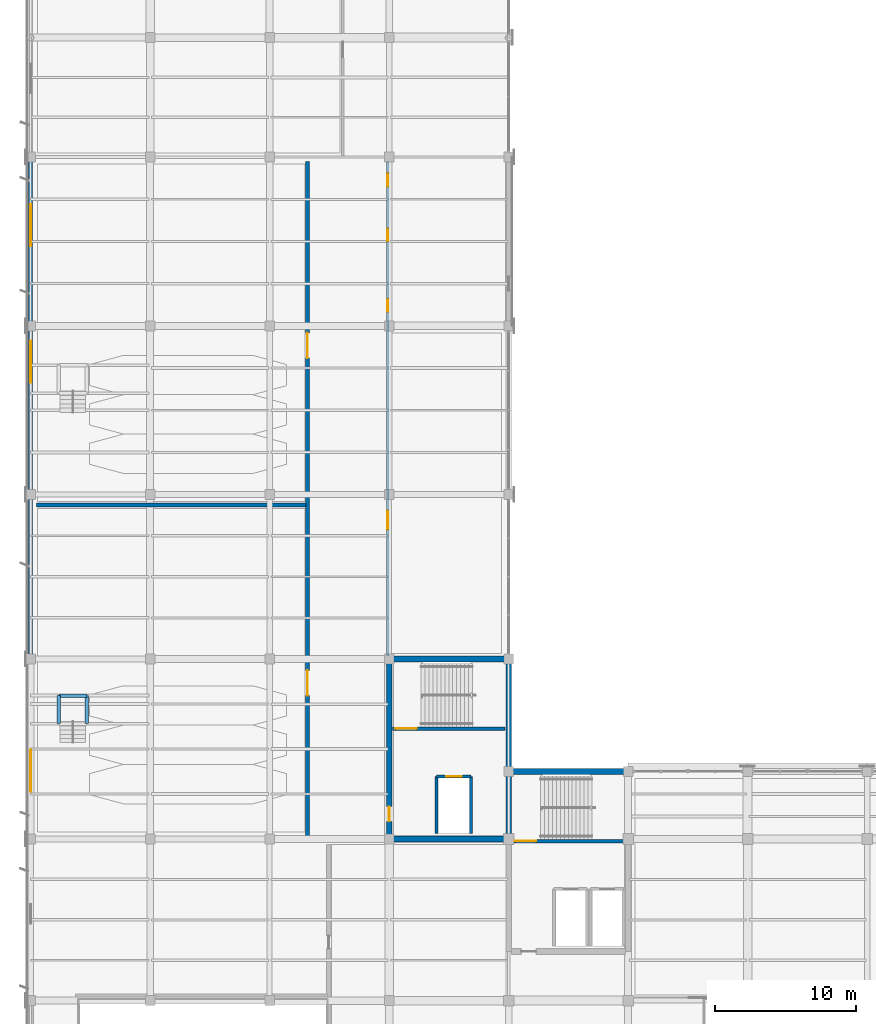
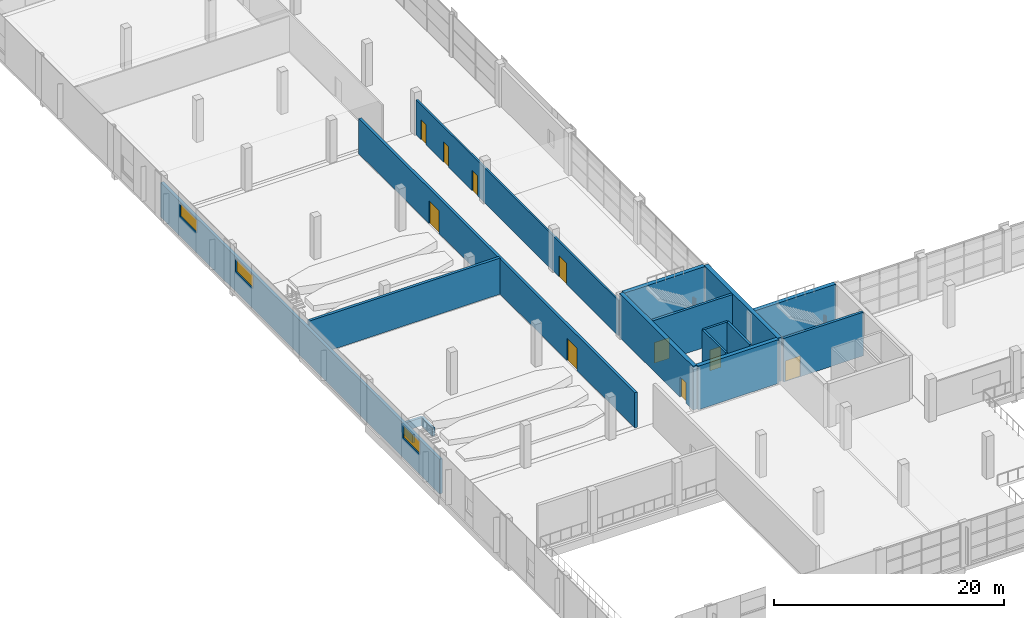
# One storey, part 91 of 112: 17 walls, 10 doors, 3 windows, 13 openings.
"""IFC4 building model written with IfcOpenShell, lengths in metres."""

from ifc_helpers import new_model, si_unit, direction, frame, frame_2d, origin, place, context, subcontext, project, spatial, rectangle, extrude, material, layer, layer_set, type_object, element, fill, save


model = new_model("IFC4")

# Units and contexts
model_context = context("Model", 3, precision=1e-05, world=origin(), true_north=direction((0.0, 1.0)))
body_context = subcontext(model_context, "Body", "Model", "MODEL_VIEW")
ifc_project = project(units=[si_unit("LENGTHUNIT", "METRE"), si_unit("AREAUNIT", "SQUARE_METRE"), si_unit("VOLUMEUNIT", "CUBIC_METRE"), si_unit("PLANEANGLEUNIT", "RADIAN"), si_unit("MASSUNIT", "GRAM", prefix="KILO")], contexts=[model_context])

# Site, building, storey
site_placement = place(None, origin())
site = spatial("IfcSite", under=ifc_project, at=site_placement, CompositionType="ELEMENT")
building_placement = place(site_placement, origin())
building = spatial("IfcBuilding", under=site, at=building_placement, Name="Solvikara Media Centre", CompositionType="ELEMENT")
storey_placement = place(building_placement, frame((0.0, 0.0, 5.39990234375)))
storey = spatial("IfcBuildingStorey", under=building, at=storey_placement, Name="L01", CompositionType="ELEMENT", Elevation=5.39990234375)

# Wall, opening, door
ifc_material_1 = material(Name="Concrete fc' 45 MPa (C45/55)", Category="concrete")
ifc_layer_1 = layer(ifc_material_1, 0.39990234375)
ifc_layer_set_1 = layer_set([ifc_layer_1], Name="Concrete fc' 45 MPa (C45/55)")
wall_type_1 = type_object("IfcWallType", Name="WT-02", PredefinedType="SHEAR", material=ifc_layer_set_1)
wall_1_placement = place(storey_placement, frame((25.5, 32.0, 0.0), z_axis=(0.0, 0.0, 1.0), x_axis=(0.0, 1.0, 0.0)))
wall_1 = element("IfcWall", 1, at=wall_1_placement, inside=storey, type_object=wall_type_1, Name="CW-C1-L01-W", PredefinedType="SHEAR", context=body_context, shape_type="SweptSolid", body=[
    extrude(rectangle(XDim=12.800048828125, YDim=0.39990234375, at=frame_2d((6.39990234375, 0.0))), origin(), (0.0, 0.0, 1.0), 4.64013671875),
])
opening_1_placement = place(wall_1_placement, frame((1.25, 0.0, 0.0)))
opening_1 = element("IfcOpeningElement", 2, at=opening_1_placement, cuts=wall_1, Name="Opening D-C1-L01-LOB", PredefinedType="OPENING", context=body_context, shape_type="SweptSolid", body=[
    extrude(rectangle(XDim=1.050048828125, YDim=2.14990234375, at=frame_2d((0.52490234375, 1.074951171875))), frame((0.0, 0.2119140625, 0.0), z_axis=(0.0, -1.0, 0.0), x_axis=(1.0, 0.0, 0.0)), (0.0, 0.0, 1.0), 0.423828125),
])
ifc_material_2 = material(Name="Insulated fire-rated steel door leaf", Category="steel")
door_type_1 = type_object("IfcDoorType", Name="DT-10", OperationType="NOTDEFINED", PredefinedType="DOOR", material=ifc_material_2)
door_1_placement = place(opening_1_placement, origin())
door_1 = element("IfcDoor", 3, at=door_1_placement, inside=storey, type_object=door_type_1, Name="D-C1-L01-LOB", OperationType="SINGLE_SWING_RIGHT", OverallHeight=2.14990234375, OverallWidth=1.050048828125, PredefinedType="DOOR", context=body_context, shape_type="SweptSolid", body=[
    extrude(rectangle(XDim=1.050048828125, YDim=2.14990234375, at=frame_2d((0.52490234375, 1.074951171875))), frame((0.0, 0.02490234375, 0.0), z_axis=(0.0, -1.0, 0.0), x_axis=(1.0, 0.0, 0.0)), (0.0, 0.0, 1.0), 0.050048828125),
])
fill(opening_1, door_1)

# Walls
wall_2_placement = place(storey_placement, frame((34.0, 32.0, 0.0), z_axis=(0.0, 0.0, 1.0), x_axis=(0.0, 1.0, 0.0)))
element("IfcWall", 4, at=wall_2_placement, inside=storey, type_object=wall_type_1, Name="CW-C1-L01-E", PredefinedType="SHEAR", context=body_context, shape_type="SweptSolid", body=[
    extrude(rectangle(XDim=12.800048828125, YDim=0.39990234375, at=frame_2d((6.39990234375, 0.0))), origin(), (0.0, 0.0, 1.0), 4.64013671875),
])
for number, where, z_axis, x_axis, name in (
    (5, (25.699951171875, 44.800048828125, 0.0), (0.0, 0.0, 1.0), (1.0, 0.0, 0.0), "CW-C1-L01-N"),
    (6, (25.699951171875, 32.0, 0.0), (0.0, 0.0, 1.0), (1.0, 0.0, 0.0), "CW-C1-L01-S"),
    (7, (34.199951171875, 36.800048828125, 0.0), (0.0, 0.0, 1.0), (1.0, 0.0, 0.0), "CW-C2-L01-N"),
):
    element("IfcWall", number, at=place(storey_placement, frame(where, z_axis=z_axis, x_axis=x_axis)), inside=storey, type_object=wall_type_1, Name=name, PredefinedType="SHEAR", context=body_context, shape_type="SweptSolid", body=[
        extrude(rectangle(XDim=8.10009765625, YDim=0.39990234375, at=frame_2d((4.050048828125, 0.0))), origin(), (0.0, 0.0, 1.0), 4.64013671875),
    ])

# Wall, opening, door
ifc_layer_2 = layer(ifc_material_1, 0.25)
ifc_layer_set_2 = layer_set([ifc_layer_2], Name="Concrete fc' 45 MPa (C45/55)")
wall_type_2 = type_object("IfcWallType", Name="WT-07", PredefinedType="STANDARD", material=ifc_layer_set_2)
wall_3_placement = place(storey_placement, frame((25.75, 39.85009765625, 0.0), z_axis=(0.0, 0.0, 1.0), x_axis=(1.0, 0.0, 0.0)))
wall_3 = element("IfcWall", 8, at=wall_3_placement, inside=storey, type_object=wall_type_2, Name="CW-C1-L01-SD", PredefinedType="STANDARD", context=body_context, shape_type="SweptSolid", body=[
    extrude(rectangle(XDim=8.0, YDim=0.25, at=frame_2d((4.0, 0.0))), origin(), (0.0, 0.0, 1.0), 4.64013671875),
])
opening_2_placement = place(wall_3_placement, frame((0.199951171875, 0.0, 0.0)))
opening_2 = element("IfcOpeningElement", 9, at=opening_2_placement, cuts=wall_3, Name="Opening D-C1-L01-ST", PredefinedType="OPENING", context=body_context, shape_type="SweptSolid", body=[
    extrude(rectangle(XDim=1.5, YDim=2.199951171875, at=frame_2d((0.75, 1.10009765625))), frame((0.0, 0.136962890625, 0.0), z_axis=(0.0, -1.0, 0.0), x_axis=(1.0, 0.0, 0.0)), (0.0, 0.0, 1.0), 0.27392578125),
])
door_type_2 = type_object("IfcDoorType", Name="DT-08", OperationType="DOUBLE_DOOR_SINGLE_SWING", PredefinedType="DOOR", material=ifc_material_2)
door_2_placement = place(opening_2_placement, frame((1.5, 0.0, 0.0), z_axis=(0.0, 0.0, 1.0), x_axis=(-1.0, 0.0, 0.0)))
door_2 = element("IfcDoor", 10, at=door_2_placement, inside=storey, type_object=door_type_2, Name="D-C1-L01-ST", OperationType="DOUBLE_DOOR_SINGLE_SWING", OverallHeight=2.199951171875, OverallWidth=1.5, PredefinedType="DOOR", context=body_context, shape_type="SweptSolid", body=[
    extrude(rectangle(XDim=1.5, YDim=2.199951171875, at=frame_2d((0.75, 1.10009765625))), frame((0.0, 0.02490234375, 0.0), z_axis=(0.0, -1.0, 0.0), x_axis=(1.0, 0.0, 0.0)), (0.0, 0.0, 1.0), 0.050048828125),
])
fill(opening_2, door_2)

wall_4_placement = place(storey_placement, frame((34.25, 31.85009765625, 0.0), z_axis=(0.0, 0.0, 1.0), x_axis=(1.0, 0.0, 0.0)))
wall_4 = element("IfcWall", 11, at=wall_4_placement, inside=storey, type_object=wall_type_2, Name="CW-C2-L01-SD", PredefinedType="STANDARD", context=body_context, shape_type="SweptSolid", body=[
    extrude(rectangle(XDim=8.0, YDim=0.25, at=frame_2d((4.0, 0.0))), origin(), (0.0, 0.0, 1.0), 4.64013671875),
])
opening_3_placement = place(wall_4_placement, frame((0.199951171875, 0.0, 0.0)))
opening_3 = element("IfcOpeningElement", 12, at=opening_3_placement, cuts=wall_4, Name="Opening D-C2-L01-ST", PredefinedType="OPENING", context=body_context, shape_type="SweptSolid", body=[
    extrude(rectangle(XDim=1.5, YDim=2.199951171875, at=frame_2d((0.75, 1.10009765625))), frame((0.0, 0.136962890625, 0.0), z_axis=(0.0, -1.0, 0.0), x_axis=(1.0, 0.0, 0.0)), (0.0, 0.0, 1.0), 0.27392578125),
])
door_3_placement = place(opening_3_placement, frame((1.5, 0.0, 0.0), z_axis=(0.0, 0.0, 1.0), x_axis=(-1.0, 0.0, 0.0)))
door_3 = element("IfcDoor", 13, at=door_3_placement, inside=storey, type_object=door_type_2, Name="D-C2-L01-ST", OperationType="DOUBLE_DOOR_SINGLE_SWING", OverallHeight=2.199951171875, OverallWidth=1.5, PredefinedType="DOOR", context=body_context, shape_type="SweptSolid", body=[
    extrude(rectangle(XDim=1.5, YDim=2.199951171875, at=frame_2d((0.75, 1.10009765625))), frame((0.0, 0.02490234375, 0.0), z_axis=(0.0, -1.0, 0.0), x_axis=(1.0, 0.0, 0.0)), (0.0, 0.0, 1.0), 0.050048828125),
])
fill(opening_3, door_3)

# Walls
for number, where, z_axis, x_axis, name in (
    (14, (2.0, 42.199951171875, -0.260009765625), (0.0, 0.0, 1.0), (1.0, 0.0, 0.0), "VW-ST-MX4-AISLE-2"),
    (15, (4.0, 40.199951171875, -0.260009765625), (0.0, 0.0, 1.0), (0.0, 1.0, 0.0), "VW-ST-MX4-AISLE-3"),
    (16, (2.0, 40.199951171875, -0.260009765625), (0.0, 0.0, 1.0), (0.0, 1.0, 0.0), "VW-ST-MX4-AISLE-4"),
):
    element("IfcWall", number, at=place(storey_placement, frame(where, z_axis=z_axis, x_axis=x_axis)), inside=storey, type_object=wall_type_2, Name=name, PredefinedType="STANDARD", context=body_context, shape_type="SweptSolid", body=[
        extrude(rectangle(XDim=2.0, YDim=0.25, at=frame_2d((1.0, 0.0))), origin(), (0.0, 0.0, 1.0), 0.8701171875),
    ])

# Wall, openings, windows
ifc_material_3 = material(Name="Precast concrete fc' 40 MPa (C40/50)", Category="concrete")
ifc_layer_3 = layer(ifc_material_3, 0.2900390625)
ifc_layer_set_3 = layer_set([ifc_layer_3], Name="Precast concrete fc' 40 MPa (C40/50)")
wall_type_3 = type_object("IfcWallType", Name="WT-11", PredefinedType="STANDARD", material=ifc_layer_set_3)
wall_5_placement = place(storey_placement, frame((0.0, 32.0, 0.0), z_axis=(0.0, 0.0, 1.0), x_axis=(0.0, 1.0, 0.0)))
wall_5 = element("IfcWall", 17, at=wall_5_placement, inside=storey, type_object=wall_type_3, Name="EW-L01-V4-W", PredefinedType="STANDARD", context=body_context, shape_type="SweptSolid", body=[
    extrude(rectangle(XDim=48.5, YDim=0.2900390625, at=frame_2d((24.25, 0.0))), origin(), (0.0, 0.0, 1.0), 3.68017578125),
])
opening_4_placement = place(wall_5_placement, frame((3.35009765625, 0.0, 2.1201171875)))
opening_4 = element("IfcOpeningElement", 18, at=opening_4_placement, cuts=wall_5, Name="Opening W-L01-V4W-W01", PredefinedType="OPENING", context=body_context, shape_type="SweptSolid", body=[
    extrude(rectangle(XDim=3.0, YDim=1.39990234375, at=frame_2d((1.5, 0.699951171875))), frame((0.0, 0.156982421875, 0.0), z_axis=(0.0, -1.0, 0.0), x_axis=(1.0, 0.0, 0.0)), (0.0, 0.0, 1.0), 0.31396484375),
])
opening_5_placement = place(wall_5_placement, frame((32.449951171875, 0.0, 2.1201171875)))
opening_5 = element("IfcOpeningElement", 19, at=opening_5_placement, cuts=wall_5, Name="Opening W-L01-V4W-W04", PredefinedType="OPENING", context=body_context, shape_type="SweptSolid", body=[
    extrude(rectangle(XDim=3.0, YDim=1.39990234375, at=frame_2d((1.5, 0.699951171875))), frame((0.0, 0.156982421875, 0.0), z_axis=(0.0, -1.0, 0.0), x_axis=(1.0, 0.0, 0.0)), (0.0, 0.0, 1.0), 0.31396484375),
])
opening_6_placement = place(wall_5_placement, frame((42.14990234375, 0.0, 2.1201171875)))
opening_6 = element("IfcOpeningElement", 20, at=opening_6_placement, cuts=wall_5, Name="Opening W-L01-V4W-W05", PredefinedType="OPENING", context=body_context, shape_type="SweptSolid", body=[
    extrude(rectangle(XDim=3.0, YDim=1.39990234375, at=frame_2d((1.5, 0.699951171875))), frame((0.0, 0.156982421875, 0.0), z_axis=(0.0, -1.0, 0.0), x_axis=(1.0, 0.0, 0.0)), (0.0, 0.0, 1.0), 0.31396484375),
])
ifc_material_4 = material(Name="Double-glazed low-E architectural glass", Category="glass")
window_type = type_object("IfcWindowType", Name="WN-10", PartitioningType="SINGLE_PANEL", PredefinedType="WINDOW", material=ifc_material_4)
window_1_placement = place(opening_4_placement, origin())
window_1 = element("IfcWindow", 21, at=window_1_placement, inside=storey, type_object=window_type, Name="W-L01-V4W-W01", OverallHeight=1.39990234375, OverallWidth=3.0, PartitioningType="SINGLE_PANEL", PredefinedType="WINDOW", context=body_context, shape_type="SweptSolid", body=[
    extrude(rectangle(XDim=3.0, YDim=1.39990234375, at=frame_2d((1.5, 0.699951171875))), frame((0.0, 0.030029296875, 0.0), z_axis=(0.0, -1.0, 0.0), x_axis=(1.0, 0.0, 0.0)), (0.0, 0.0, 1.0), 0.06005859375),
])
fill(opening_4, window_1)
window_2_placement = place(opening_5_placement, origin())
window_2 = element("IfcWindow", 22, at=window_2_placement, inside=storey, type_object=window_type, Name="W-L01-V4W-W04", OverallHeight=1.39990234375, OverallWidth=3.0, PartitioningType="SINGLE_PANEL", PredefinedType="WINDOW", context=body_context, shape_type="SweptSolid", body=[
    extrude(rectangle(XDim=3.0, YDim=1.39990234375, at=frame_2d((1.5, 0.699951171875))), frame((0.0, 0.030029296875, 0.0), z_axis=(0.0, -1.0, 0.0), x_axis=(1.0, 0.0, 0.0)), (0.0, 0.0, 1.0), 0.06005859375),
])
fill(opening_5, window_2)
window_3_placement = place(opening_6_placement, origin())
window_3 = element("IfcWindow", 23, at=window_3_placement, inside=storey, type_object=window_type, Name="W-L01-V4W-W05", OverallHeight=1.39990234375, OverallWidth=3.0, PartitioningType="SINGLE_PANEL", PredefinedType="WINDOW", context=body_context, shape_type="SweptSolid", body=[
    extrude(rectangle(XDim=3.0, YDim=1.39990234375, at=frame_2d((1.5, 0.699951171875))), frame((0.0, 0.030029296875, 0.0), z_axis=(0.0, -1.0, 0.0), x_axis=(1.0, 0.0, 0.0)), (0.0, 0.0, 1.0), 0.06005859375),
])
fill(opening_6, window_3)

# Wall, openings, doors
ifc_material_5 = material(Name="Double-stud acoustic gypsum partition assembly")
ifc_layer_4 = layer(ifc_material_5, 0.27001953125)
ifc_layer_set_4 = layer_set([ifc_layer_4], Name="Double-stud acoustic gypsum partition assembly")
wall_type_4 = type_object("IfcWallType", Name="WT-16", PredefinedType="PARTITIONING", material=ifc_layer_set_4)
wall_6_placement = place(storey_placement, frame((19.699951171875, 32.199951171875, 0.0), z_axis=(0.0, 0.0, 1.0), x_axis=(0.0, 1.0, 0.0)))
wall_6 = element("IfcWall", 24, at=wall_6_placement, inside=storey, type_object=wall_type_4, Name="PW-L01-043", PredefinedType="PARTITIONING", context=body_context, shape_type="SweptSolid", body=[
    extrude(rectangle(XDim=48.0, YDim=0.27001953125, at=frame_2d((24.0, 0.0))), origin(), (0.0, 0.0, 1.0), 3.72802734375),
])
opening_7_placement = place(wall_6_placement, frame((10.0, 0.0, 0.0)))
opening_7 = element("IfcOpeningElement", 25, at=opening_7_placement, cuts=wall_6, Name="Opening D-L01-043-1", PredefinedType="OPENING", context=body_context, shape_type="SweptSolid", body=[
    extrude(rectangle(XDim=1.800048828125, YDim=2.39990234375, at=frame_2d((0.89990234375, 1.199951171875))), frame((0.0, 0.14697265625, 0.0), z_axis=(0.0, -1.0, 0.0), x_axis=(1.0, 0.0, 0.0)), (0.0, 0.0, 1.0), 0.2939453125),
])
opening_8_placement = place(wall_6_placement, frame((34.0, 0.0, 0.0)))
opening_8 = element("IfcOpeningElement", 26, at=opening_8_placement, cuts=wall_6, Name="Opening D-L01-043-2", PredefinedType="OPENING", context=body_context, shape_type="SweptSolid", body=[
    extrude(rectangle(XDim=1.800048828125, YDim=2.39990234375, at=frame_2d((0.89990234375, 1.199951171875))), frame((0.0, 0.14697265625, 0.0), z_axis=(0.0, -1.0, 0.0), x_axis=(1.0, 0.0, 0.0)), (0.0, 0.0, 1.0), 0.2939453125),
])
ifc_material_6 = material(Name="Solid core acoustic hardwood timber", Category="wood")
door_type_3 = type_object("IfcDoorType", Name="DT-12", OperationType="DOUBLE_DOOR_SINGLE_SWING", PredefinedType="DOOR", material=ifc_material_6)
door_4_placement = place(opening_7_placement, frame((1.800048828125, 0.0, 0.0), z_axis=(0.0, 0.0, 1.0), x_axis=(-1.0, 0.0, 0.0)))
door_4 = element("IfcDoor", 27, at=door_4_placement, inside=storey, type_object=door_type_3, Name="D-L01-043-1", OperationType="DOUBLE_DOOR_SINGLE_SWING", OverallHeight=2.39990234375, OverallWidth=1.800048828125, PredefinedType="DOOR", context=body_context, shape_type="SweptSolid", body=[
    extrude(rectangle(XDim=1.800048828125, YDim=2.39990234375, at=frame_2d((0.89990234375, 1.199951171875))), frame((0.0, 0.02490234375, 0.0), z_axis=(0.0, -1.0, 0.0), x_axis=(1.0, 0.0, 0.0)), (0.0, 0.0, 1.0), 0.050048828125),
])
fill(opening_7, door_4)
door_5_placement = place(opening_8_placement, frame((1.800048828125, 0.0, 0.0), z_axis=(0.0, 0.0, 1.0), x_axis=(-1.0, 0.0, 0.0)))
door_5 = element("IfcDoor", 28, at=door_5_placement, inside=storey, type_object=door_type_3, Name="D-L01-043-2", OperationType="DOUBLE_DOOR_SINGLE_SWING", OverallHeight=2.39990234375, OverallWidth=1.800048828125, PredefinedType="DOOR", context=body_context, shape_type="SweptSolid", body=[
    extrude(rectangle(XDim=1.800048828125, YDim=2.39990234375, at=frame_2d((0.89990234375, 1.199951171875))), frame((0.0, 0.02490234375, 0.0), z_axis=(0.0, -1.0, 0.0), x_axis=(1.0, 0.0, 0.0)), (0.0, 0.0, 1.0), 0.050048828125),
])
fill(opening_8, door_5)

# Walls
wall_7_placement = place(storey_placement, frame((0.39990234375, 55.75, 0.0), z_axis=(0.0, 0.0, 1.0), x_axis=(1.0, 0.0, 0.0)))
element("IfcWall", 29, at=wall_7_placement, inside=storey, type_object=wall_type_4, Name="PW-L01-044", PredefinedType="PARTITIONING", context=body_context, shape_type="SweptSolid", body=[
    extrude(rectangle(XDim=19.2001953125, YDim=0.27001953125, at=frame_2d((9.60009765625, 0.0))), origin(), (0.0, 0.0, 1.0), 3.836181640625),
])
ifc_material_7 = material(Name="Fire-rated gypsum and mineral-wool shaft wall assembly")
ifc_layer_5 = layer(ifc_material_7, 0.2099609375)
ifc_layer_set_5 = layer_set([ifc_layer_5], Name="Fire-rated gypsum and mineral-wool shaft wall assembly")
wall_type_5 = type_object("IfcWallType", Name="WT-17", PredefinedType="PARTITIONING", material=ifc_layer_set_5)
for number, where, z_axis, x_axis, name in (
    (30, (28.8798828125, 32.39990234375, 0.0), (0.0, 0.0, 1.0), (0.0, 1.0, 0.0), "LW-LF-S1-L01-W"),
    (31, (31.320068359375, 32.39990234375, 0.0), (0.0, 0.0, 1.0), (0.0, 1.0, 0.0), "LW-LF-S1-L01-E"),
):
    element("IfcWall", number, at=place(storey_placement, frame(where, z_axis=z_axis, x_axis=x_axis)), inside=storey, type_object=wall_type_5, Name=name, PredefinedType="PARTITIONING", context=body_context, shape_type="SweptSolid", body=[
        extrude(rectangle(XDim=4.050048828125, YDim=0.2099609375, at=frame_2d((2.02490234375, 0.0))), origin(), (0.0, 0.0, 1.0), 4.64013671875),
    ])

# Wall, opening, door
wall_8_placement = place(storey_placement, frame((28.8798828125, 36.449951171875, 0.0), z_axis=(0.0, 0.0, 1.0), x_axis=(1.0, 0.0, 0.0)))
wall_8 = element("IfcWall", 32, at=wall_8_placement, inside=storey, type_object=wall_type_5, Name="LW-LF-S1-L01-N", PredefinedType="PARTITIONING", context=body_context, shape_type="SweptSolid", body=[
    extrude(rectangle(XDim=2.440185546875, YDim=0.2099609375, at=frame_2d((1.22021484375, 0.0))), origin(), (0.0, 0.0, 1.0), 4.64013671875),
])
opening_9_placement = place(wall_8_placement, frame((0.669921875, 0.0, 0.0)))
opening_9 = element("IfcOpeningElement", 33, at=opening_9_placement, cuts=wall_8, Name="Opening LD-LF-S1-L01", PredefinedType="OPENING", context=body_context, shape_type="SweptSolid", body=[
    extrude(rectangle(XDim=1.10009765625, YDim=2.199951171875, at=frame_2d((0.550048828125, 1.10009765625))), frame((0.0, 0.116943359375, 0.0), z_axis=(0.0, -1.0, 0.0), x_axis=(1.0, 0.0, 0.0)), (0.0, 0.0, 1.0), 0.23388671875),
])
door_type_4 = type_object("IfcDoorType", Name="LD-01", OperationType="DOUBLE_DOOR_SLIDING", PredefinedType="DOOR", material=ifc_material_2)
door_6_placement = place(opening_9_placement, origin())
door_6 = element("IfcDoor", 34, at=door_6_placement, inside=storey, type_object=door_type_4, Name="LD-LF-S1-L01", OperationType="DOUBLE_DOOR_SLIDING", OverallHeight=2.199951171875, OverallWidth=1.10009765625, PredefinedType="DOOR", context=body_context, shape_type="SweptSolid", body=[
    extrude(rectangle(XDim=1.10009765625, YDim=2.199951171875, at=frame_2d((0.550048828125, 1.10009765625))), frame((0.0, 0.02490234375, 0.0), z_axis=(0.0, -1.0, 0.0), x_axis=(1.0, 0.0, 0.0)), (0.0, 0.0, 1.0), 0.050048828125),
])
fill(opening_9, door_6)

# Wall, openings, doors
ifc_layer_6 = layer(ifc_material_7, 0.179931640625)
ifc_layer_set_6 = layer_set([ifc_layer_6], Name="Fire-rated gypsum and mineral-wool shaft wall assembly")
wall_type_6 = type_object("IfcWallType", Name="WT-18", PredefinedType="PARTITIONING", material=ifc_layer_set_6)
wall_9_placement = place(storey_placement, frame((25.39990234375, 45.0, 0.0), z_axis=(0.0, 0.0, 1.0), x_axis=(0.0, 1.0, 0.0)))
wall_9 = element("IfcWall", 35, at=wall_9_placement, inside=storey, type_object=wall_type_6, Name="PW-L01-045", PredefinedType="PARTITIONING", context=body_context, shape_type="SweptSolid", body=[
    extrude(rectangle(XDim=35.199951171875, YDim=0.179931640625, at=frame_2d((17.60009765625, 0.0))), origin(), (0.0, 0.0, 1.0), 3.72802734375),
])
opening_10_placement = place(wall_9_placement, frame((9.0, 0.0, 0.0)))
opening_10 = element("IfcOpeningElement", 36, at=opening_10_placement, cuts=wall_9, Name="Opening D-L01-045-1", PredefinedType="OPENING", context=body_context, shape_type="SweptSolid", body=[
    extrude(rectangle(XDim=1.35009765625, YDim=2.25, at=frame_2d((0.675048828125, 1.125))), frame((0.0, 0.10205078125, 0.0), z_axis=(0.0, -1.0, 0.0), x_axis=(1.0, 0.0, 0.0)), (0.0, 0.0, 1.0), 0.203857421875),
])
opening_11_placement = place(wall_9_placement, frame((24.5, 0.0, 0.0)))
opening_11 = element("IfcOpeningElement", 37, at=opening_11_placement, cuts=wall_9, Name="Opening D-L01-045-2", PredefinedType="OPENING", context=body_context, shape_type="SweptSolid", body=[
    extrude(rectangle(XDim=0.89990234375, YDim=2.14990234375, at=frame_2d((0.449951171875, 1.074951171875))), frame((0.0, 0.10205078125, 0.0), z_axis=(0.0, -1.0, 0.0), x_axis=(1.0, 0.0, 0.0)), (0.0, 0.0, 1.0), 0.203857421875),
])
opening_12_placement = place(wall_9_placement, frame((29.5, 0.0, 0.0)))
opening_12 = element("IfcOpeningElement", 38, at=opening_12_placement, cuts=wall_9, Name="Opening D-L01-045-3", PredefinedType="OPENING", context=body_context, shape_type="SweptSolid", body=[
    extrude(rectangle(XDim=0.89990234375, YDim=2.14990234375, at=frame_2d((0.449951171875, 1.074951171875))), frame((0.0, 0.10205078125, 0.0), z_axis=(0.0, -1.0, 0.0), x_axis=(1.0, 0.0, 0.0)), (0.0, 0.0, 1.0), 0.203857421875),
])
opening_13_placement = place(wall_9_placement, frame((33.39990234375, 0.0, 0.0)))
opening_13 = element("IfcOpeningElement", 39, at=opening_13_placement, cuts=wall_9, Name="Opening D-L01-045-4", PredefinedType="OPENING", context=body_context, shape_type="SweptSolid", body=[
    extrude(rectangle(XDim=0.949951171875, YDim=2.14990234375, at=frame_2d((0.47509765625, 1.074951171875))), frame((0.0, 0.10205078125, 0.0), z_axis=(0.0, -1.0, 0.0), x_axis=(1.0, 0.0, 0.0)), (0.0, 0.0, 1.0), 0.203857421875),
])
door_type_5 = type_object("IfcDoorType", Name="DT-17", OperationType="NOTDEFINED", PredefinedType="DOOR", material=ifc_material_6)
door_7_placement = place(opening_13_placement, frame((0.949951171875, 0.0, 0.0), z_axis=(0.0, 0.0, 1.0), x_axis=(-1.0, 0.0, 0.0)))
door_7 = element("IfcDoor", 40, at=door_7_placement, inside=storey, type_object=door_type_5, Name="D-L01-045-4", OperationType="SINGLE_SWING_LEFT", OverallHeight=2.14990234375, OverallWidth=0.949951171875, PredefinedType="DOOR", context=body_context, shape_type="SweptSolid", body=[
    extrude(rectangle(XDim=0.949951171875, YDim=2.14990234375, at=frame_2d((0.47509765625, 1.074951171875))), frame((0.0, 0.02490234375, 0.0), z_axis=(0.0, -1.0, 0.0), x_axis=(1.0, 0.0, 0.0)), (0.0, 0.0, 1.0), 0.050048828125),
])
fill(opening_13, door_7)
door_type_6 = type_object("IfcDoorType", Name="DT-18", OperationType="NOTDEFINED", PredefinedType="DOOR", material=ifc_material_6)
door_8_placement = place(opening_11_placement, origin())
door_8 = element("IfcDoor", 41, at=door_8_placement, inside=storey, type_object=door_type_6, Name="D-L01-045-2", OperationType="SINGLE_SWING_LEFT", OverallHeight=2.14990234375, OverallWidth=0.89990234375, PredefinedType="DOOR", context=body_context, shape_type="SweptSolid", body=[
    extrude(rectangle(XDim=0.89990234375, YDim=2.14990234375, at=frame_2d((0.449951171875, 1.074951171875))), frame((0.0, 0.02490234375, 0.0), z_axis=(0.0, -1.0, 0.0), x_axis=(1.0, 0.0, 0.0)), (0.0, 0.0, 1.0), 0.050048828125),
])
fill(opening_11, door_8)
door_9_placement = place(opening_12_placement, origin())
door_9 = element("IfcDoor", 42, at=door_9_placement, inside=storey, type_object=door_type_6, Name="D-L01-045-3", OperationType="SINGLE_SWING_RIGHT", OverallHeight=2.14990234375, OverallWidth=0.89990234375, PredefinedType="DOOR", context=body_context, shape_type="SweptSolid", body=[
    extrude(rectangle(XDim=0.89990234375, YDim=2.14990234375, at=frame_2d((0.449951171875, 1.074951171875))), frame((0.0, 0.02490234375, 0.0), z_axis=(0.0, -1.0, 0.0), x_axis=(1.0, 0.0, 0.0)), (0.0, 0.0, 1.0), 0.050048828125),
])
fill(opening_12, door_9)
ifc_material_8 = material(Name="Anodised aluminium EN AW-6063", Category="aluminium")
door_type_7 = type_object("IfcDoorType", Name="DT-20", OperationType="DOUBLE_DOOR_SINGLE_SWING", PredefinedType="DOOR", material=ifc_material_8)
door_10_placement = place(opening_10_placement, origin())
door_10 = element("IfcDoor", 43, at=door_10_placement, inside=storey, type_object=door_type_7, Name="D-L01-045-1", OperationType="DOUBLE_DOOR_SINGLE_SWING", OverallHeight=2.25, OverallWidth=1.35009765625, PredefinedType="DOOR", context=body_context, shape_type="SweptSolid", body=[
    extrude(rectangle(XDim=1.35009765625, YDim=2.25, at=frame_2d((0.675048828125, 1.125))), frame((0.0, 0.02490234375, 0.0), z_axis=(0.0, -1.0, 0.0), x_axis=(1.0, 0.0, 0.0)), (0.0, 0.0, 1.0), 0.050048828125),
])
fill(opening_10, door_10)

save(model, "model.ifc")
